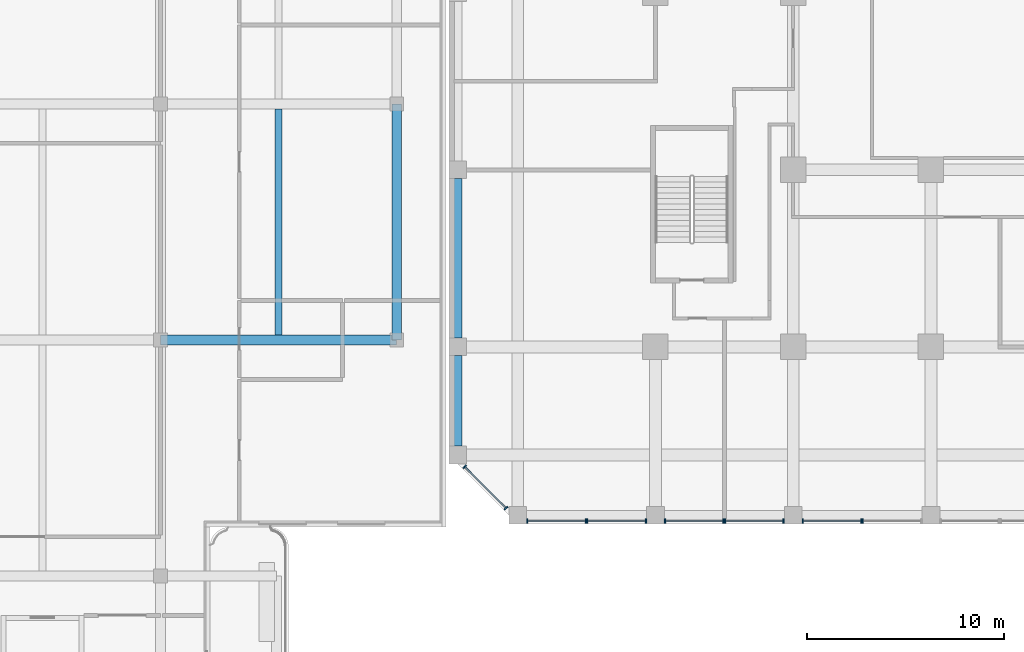
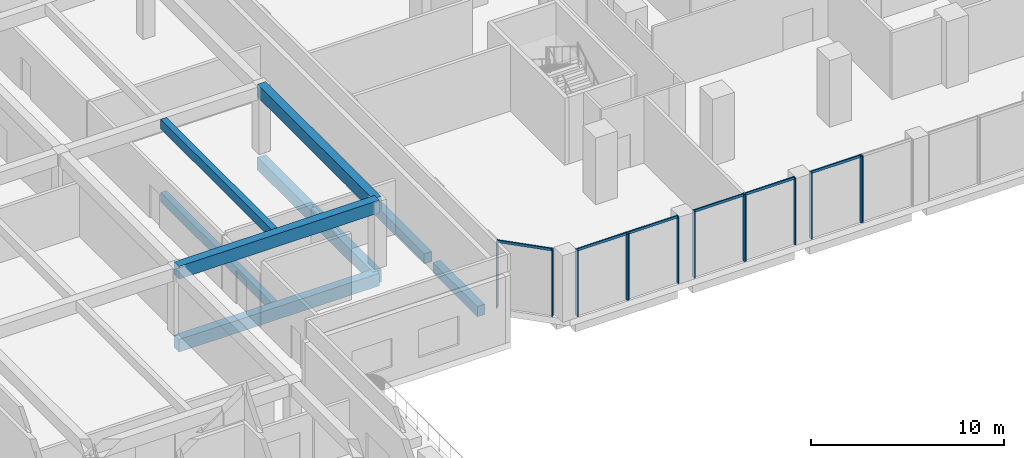
# One storey, part 2 of 35: 19 members, 8 beams, 7 elements without a shape of their own.
"""IFC4 building model written with IfcOpenShell, lengths in metres."""

import ifcopenshell
import ifcopenshell.guid

model = None  # the IFC model being written
_history = None  # IfcOwnerHistory: only IFC2X3 demands one
_inside = {}  # id of a spatial element -> (the spatial element, [elements in it])
_under = {}  # id of a project, library or spatial element -> (it, [spatial elements below it])
_declared = {}  # id of a project -> (the project, [libraries it declares])
_typed = {}  # id of a type object -> (the type object, [elements of that type])
_made_of = {}  # id of a material, layer set ... -> (it, [elements and type objects made of it])


def new_model(schema):
    """Start an empty IFC model of exactly this schema.

    Asked for "IFC4X3", IfcOpenShell would pick the latest addendum, in which some entities
    have other attributes; the version numbers below select the first issue.
    IFC2X3 requires an IfcOwnerHistory on every rooted entity: one is made here for all.
    """
    global model, _history
    if schema == "IFC4X3":
        model = ifcopenshell.file(schema_version=(4, 3, 0, 0))
    else:
        model = ifcopenshell.file(schema=schema)
    _inside.clear()
    _under.clear()
    _declared.clear()
    _typed.clear()
    _made_of.clear()
    _history = None
    if model.schema == "IFC2X3":
        org = make("IfcOrganization", Name="unknown")
        user = make(
            "IfcPersonAndOrganization",
            ThePerson=make("IfcPerson", FamilyName="unknown"),
            TheOrganization=org,
        )
        app = make(
            "IfcApplication",
            ApplicationDeveloper=org,
            Version="unknown",
            ApplicationFullName="unknown",
            ApplicationIdentifier="unknown",
        )
        _history = make(
            "IfcOwnerHistory",
            OwningUser=user,
            OwningApplication=app,
            ChangeAction="ADDED",
            CreationDate=0,
        )
    return model


def make(cls, **values):
    """One entity of the class cls with the attributes given. An attribute that is None is left unset."""
    return model.create_entity(
        cls, **{name: value for name, value in values.items() if value is not None}
    )


def rooted(cls, **values):
    """An entity with a GlobalId (a new one), such as an element, a storey or a relation."""
    return make(cls, GlobalId=ifcopenshell.guid.new(), OwnerHistory=_history, **values)


def si_unit(unit_type, name, prefix=None):
    """IfcSIUnit, for example si_unit("LENGTHUNIT", "METRE", prefix="MILLI")."""
    return make("IfcSIUnit", UnitType=unit_type, Prefix=prefix, Name=name)


def assignment(units):
    """IfcUnitAssignment: the units of a project."""
    return None if units is None else make("IfcUnitAssignment", Units=units)


def point(xyz):
    """IfcCartesianPoint."""
    return None if xyz is None else make("IfcCartesianPoint", Coordinates=xyz)


def direction(xyz):
    """IfcDirection."""
    return None if xyz is None else make("IfcDirection", DirectionRatios=xyz)


def frame(location, z_axis=None, x_axis=None):
    """IfcAxis2Placement3D, a coordinate frame: its origin and axes. An axis left out is left unset."""
    return make(
        "IfcAxis2Placement3D",
        Location=point(location),
        Axis=direction(z_axis),
        RefDirection=direction(x_axis),
    )


def frame_2d(location, x_axis=None):
    """IfcAxis2Placement2D, a coordinate frame in the plane: its origin and x axis."""
    return make(
        "IfcAxis2Placement2D", Location=point(location), RefDirection=direction(x_axis)
    )


def origin():
    """The frame at (0, 0, 0) with its axes left unset."""
    return frame((0.0, 0.0, 0.0))


def origin_2d():
    """The frame at (0, 0) in the plane with its x axis left unset."""
    return frame_2d((0.0, 0.0))


def place(relative_to, where):
    """IfcLocalPlacement: puts the frame where relative to a parent placement (None: the world)."""
    return make(
        "IfcLocalPlacement", PlacementRelTo=relative_to, RelativePlacement=where
    )


def context(
    kind, dimensions, precision=None, world=None, true_north=None, identifier=None
):
    """IfcGeometricRepresentationContext, for example the 3D "Model" context."""
    return make(
        "IfcGeometricRepresentationContext",
        ContextIdentifier=identifier,
        ContextType=kind,
        CoordinateSpaceDimension=dimensions,
        Precision=precision,
        WorldCoordinateSystem=world,
        TrueNorth=true_north,
    )


def subcontext(parent, identifier, kind, view, scale=None):
    """IfcGeometricRepresentationSubContext, for example "Body" below "Model"."""
    return make(
        "IfcGeometricRepresentationSubContext",
        ContextIdentifier=identifier,
        ContextType=kind,
        ParentContext=parent,
        TargetScale=scale,
        TargetView=view,
    )


def project(units=None, contexts=None):
    """IfcProject with its units and contexts."""
    return rooted(
        "IfcProject",
        Name="project",
        RepresentationContexts=contexts,
        UnitsInContext=assignment(units),
    )


def spatial(cls, under=None, at=None, **own):
    """A site, building, storey or space (cls), placed at a placement, below another one or the project."""
    s = rooted(cls, ObjectPlacement=at, **own)
    if under is not None:
        _under.setdefault(under.id(), (under, []))[1].append(s)
    return s


def profile(cls, at=None, kind="AREA", **sizes):
    """A parametric profile (cls). Its sizes go by their IFC names, for example OverallWidth=200.0."""
    return make(cls, ProfileType=kind, Position=at, **sizes)


def rectangle(**sizes):
    """IfcRectangleProfileDef."""
    return profile("IfcRectangleProfileDef", **sizes)


def extrude(swept, where, along, depth):
    """IfcExtrudedAreaSolid: the profile swept, set in the frame where, extruded along a direction by depth."""
    return make(
        "IfcExtrudedAreaSolid",
        SweptArea=swept,
        Position=where,
        ExtrudedDirection=direction(along),
        Depth=depth,
    )


def shape(context_of_items, identifier, shape_type, items):
    """IfcShapeRepresentation: the items that make up one representation, for example the "Body"."""
    return make(
        "IfcShapeRepresentation",
        ContextOfItems=context_of_items,
        RepresentationIdentifier=identifier,
        RepresentationType=shape_type,
        Items=items,
    )


def source(mapping_origin, context_of_items, identifier, shape_type, items):
    """IfcRepresentationMap: a shape defined once, which mapped items show again and again."""
    return make(
        "IfcRepresentationMap",
        MappingOrigin=mapping_origin,
        MappedRepresentation=shape(context_of_items, identifier, shape_type, items),
    )


def transform(
    local_origin,
    x_axis=None,
    y_axis=None,
    z_axis=None,
    scale=None,
    scale2=None,
    scale3=None,
    uniform=True,
):
    """IfcCartesianTransformationOperator3D, or its non-uniform kind. x_axis, y_axis, z_axis: its Axis1, 2, 3."""
    if uniform:
        return make(
            "IfcCartesianTransformationOperator3D",
            Axis1=direction(x_axis),
            Axis2=direction(y_axis),
            LocalOrigin=point(local_origin),
            Scale=scale,
            Axis3=direction(z_axis),
        )
    return make(
        "IfcCartesianTransformationOperator3DnonUniform",
        Axis1=direction(x_axis),
        Axis2=direction(y_axis),
        LocalOrigin=point(local_origin),
        Scale=scale,
        Axis3=direction(z_axis),
        Scale2=scale2,
        Scale3=scale3,
    )


def mapped(mapping_source, mapping_target):
    """IfcMappedItem: shows the shape of a source again, moved by a transform."""
    return make(
        "IfcMappedItem", MappingSource=mapping_source, MappingTarget=mapping_target
    )


def material(Name=None, Category=None):
    """IfcMaterial."""
    return make("IfcMaterial", Name=Name, Category=Category)


def material_profile(
    of_material, cross_section, Name=None, Category=None, Priority=None
):
    """IfcMaterialProfile: a cross section and its material."""
    return make(
        "IfcMaterialProfile",
        Name=Name,
        Material=of_material,
        Profile=cross_section,
        Priority=Priority,
        Category=Category,
    )


def profile_set(profiles, Name=None, composite=None):
    """IfcMaterialProfileSet."""
    return make(
        "IfcMaterialProfileSet",
        Name=Name,
        MaterialProfiles=profiles,
        CompositeProfile=composite,
    )


def made_of(thing, what):
    """Note that an element or type object is made of a material, layer set ...; save() writes the relation."""
    if what is not None:
        _made_of.setdefault(what.id(), (what, []))[1].append(thing)
    return thing


def type_object(cls, material=None, **own):
    """A type object (cls), such as IfcWallType, which elements share."""
    return made_of(rooted(cls, **own), material)


def element(
    cls,
    number,
    at=None,
    inside=None,
    cuts=None,
    type_object=None,
    material=None,
    context=None,
    identifier="Body",
    shape_type=None,
    held_by="IfcProductDefinitionShape",
    body=None,
    shapes=None,
    **own,
):
    """One element of the class cls, such as IfcWall. Its Tag is "e" and its number.

    at: its placement. inside: the storey or other place that contains it. cuts: it is an
    opening in that element (IfcRelVoidsElement). A single representation is given by context,
    identifier, shape_type and body (its items); several are given by shapes. held_by: the class
    of the entity that holds the representations. save() writes the other relations.
    """
    e = rooted(cls, Tag="e%d" % number, ObjectPlacement=at, **own)
    if body is not None:
        shapes = [shape(context, identifier, shape_type, body)]
    if shapes is not None:
        e.Representation = make(held_by, Representations=shapes)
    if inside is not None:
        _inside.setdefault(inside.id(), (inside, []))[1].append(e)
    if cuts is not None:
        rooted(
            "IfcRelVoidsElement", RelatingBuildingElement=cuts, RelatedOpeningElement=e
        )
    if type_object is not None:
        _typed.setdefault(type_object.id(), (type_object, []))[1].append(e)
    return made_of(e, material)


def aggregate(whole, parts):
    """IfcRelAggregates: a whole, such as a stair, and the parts it consists of."""
    return rooted("IfcRelAggregates", RelatingObject=whole, RelatedObjects=parts)


def save(model, path):
    """Write the relations noted so far, then the file.

    IfcRelAggregates (storeys below a building ...), IfcRelContainedInSpatialStructure (elements
    in a storey), IfcRelDefinesByType, IfcRelAssociatesMaterial and IfcRelDeclares: one each for
    every whole, place, type object, material and project.
    """
    for whole, parts in _under.values():
        aggregate(whole, parts)
    for where, things in _inside.values():
        rooted(
            "IfcRelContainedInSpatialStructure",
            RelatedElements=things,
            RelatingStructure=where,
        )
    for kind, things in _typed.values():
        rooted("IfcRelDefinesByType", RelatedObjects=things, RelatingType=kind)
    for what, things in _made_of.values():
        rooted("IfcRelAssociatesMaterial", RelatedObjects=things, RelatingMaterial=what)
    for by, libraries in _declared.values():
        rooted("IfcRelDeclares", RelatingContext=by, RelatedDefinitions=libraries)
    model.write(path)


model = new_model("IFC4")

# Units and contexts
model_context = context("Model", 3, precision=1e-05, world=origin(), true_north=direction((0.0, 1.0)))
body_context = subcontext(model_context, "Body", "Model", "MODEL_VIEW")
ifc_project = project(units=[si_unit("LENGTHUNIT", "METRE"), si_unit("AREAUNIT", "SQUARE_METRE"), si_unit("VOLUMEUNIT", "CUBIC_METRE"), si_unit("PLANEANGLEUNIT", "RADIAN"), si_unit("MASSUNIT", "GRAM", prefix="KILO")], contexts=[model_context])

# Site, building, storey
site_placement = place(None, origin())
site = spatial("IfcSite", under=ifc_project, at=site_placement, CompositionType="ELEMENT")
building_placement = place(site_placement, origin())
building = spatial("IfcBuilding", under=site, at=building_placement, Name="Kilnfold Tower and Market Hall", CompositionType="ELEMENT")
storey_placement = place(building_placement, frame((0.0, 0.0, 22.5)))
storey = spatial("IfcBuildingStorey", under=building, at=storey_placement, Name="L04", CompositionType="ELEMENT", Elevation=22.5)

# Beams
ifc_material_1 = material(Name="Concrete C40/50", Category="concrete")
ifc_material_profile_1 = material_profile(ifc_material_1, rectangle(XDim=0.5, YDim=0.800048828125, at=origin_2d()), Name="RC 500x800")
ifc_profile_set_1 = profile_set([ifc_material_profile_1], Name="Concrete C40/50")
beam_type_1 = type_object("IfcBeamType", Name="HALL GIRDER 500X800", PredefinedType="BEAM", material=ifc_profile_set_1)
for number, where, z_axis, x_axis, name in (
    (1, (-42.64990234375, -18.64990234375, -0.800048828125), (1.0, 0.0, 0.0), (0.0, 1.0, 0.0), "Beam MG2.23"),
    (2, (-30.64990234375, -18.64990234375, -0.800048828125), (0.0, 1.0, 0.0), (-1.0, 0.0, 0.0), "Beam MG2.36"),
    (3, (-42.64990234375, -18.64990234375, 3.820068359375), (1.0, 0.0, 0.0), (0.0, 1.0, 0.0), "Roof beam MG2.R21"),
    (4, (-30.64990234375, -18.64990234375, 3.820068359375), (0.0, 1.0, 0.0), (-1.0, 0.0, 0.0), "Roof beam MG2.R33"),
):
    element("IfcBeam", number, at=place(storey_placement, frame(where, z_axis=z_axis, x_axis=x_axis)), inside=storey, type_object=beam_type_1, Name=name, PredefinedType="BEAM", context=body_context, shape_type="SweptSolid", body=[
        extrude(rectangle(XDim=0.5, YDim=0.800048828125, at=origin_2d()), origin(), (0.0, 0.0, 1.0), 12.0),
    ])
ifc_material_2 = material(Name="Concrete C40/50", Category="concrete")
ifc_material_profile_2 = material_profile(ifc_material_2, rectangle(XDim=0.35009765625, YDim=0.60009765625, at=origin_2d()), Name="RC 350x600")
ifc_profile_set_2 = profile_set([ifc_material_profile_2], Name="Concrete C40/50")
beam_type_2 = type_object("IfcBeamType", Name="HALL JOIST 350X600", PredefinedType="BEAM", material=ifc_profile_set_2)
for number, where, z_axis, x_axis, name in (
    (5, (-36.64990234375, -18.39990234375, -0.699951171875), (0.0, 1.0, 0.0), (-1.0, 0.0, 0.0), "Beam MJ1.3"),
    (6, (-36.64990234375, -18.39990234375, 3.919921875), (0.0, 1.0, 0.0), (-1.0, 0.0, 0.0), "Roof beam MJ1.R3"),
):
    element("IfcBeam", number, at=place(storey_placement, frame(where, z_axis=z_axis, x_axis=x_axis)), inside=storey, type_object=beam_type_2, Name=name, PredefinedType="BEAM", context=body_context, shape_type="SweptSolid", body=[
        extrude(rectangle(XDim=0.35009765625, YDim=0.60009765625, at=origin_2d()), origin(), (0.0, 0.0, 1.0), 11.5),
    ])
ifc_material_3 = material(Name="Concrete C45", Category="concrete")
ifc_material_profile_3 = material_profile(ifc_material_3, rectangle(XDim=0.449951171875, YDim=0.64990234375, at=origin_2d()), Name="RC 450x650")
ifc_profile_set_3 = profile_set([ifc_material_profile_3], Name="Concrete C45")
beam_type_3 = type_object("IfcBeamType", Name="EDGE BEAM 450X650 C45", PredefinedType="BEAM", material=ifc_profile_set_3)
shared_shape_1 = source(origin(), body_context, "Body", "SweptSolid", [
    extrude(rectangle(XDim=0.449951171875, YDim=0.64990234375, at=origin_2d()), origin(), (0.0, 0.0, 1.0), 4.60009765625),
])
beam_1_placement = place(storey_placement, frame((-27.550048828125, -24.050048828125, -0.72509765625), z_axis=(0.0, 1.0, 0.0), x_axis=(-1.0, 0.0, 0.0)))
element("IfcBeam", 7, at=beam_1_placement, inside=storey, type_object=beam_type_3, Name="Beam EB650-B1.30", PredefinedType="BEAM", context=body_context, shape_type="MappedRepresentation", body=[
    mapped(shared_shape_1, transform((0.0, 0.0, 0.0))),
])
shared_shape_2 = source(origin(), body_context, "Body", "SweptSolid", [
    extrude(rectangle(XDim=0.449951171875, YDim=0.64990234375, at=origin_2d()), origin(), (0.0, 0.0, 1.0), 8.10009765625),
])
beam_2_placement = place(storey_placement, frame((-27.550048828125, -18.550048828125, -0.72509765625), z_axis=(0.0, 1.0, 0.0), x_axis=(-1.0, 0.0, 0.0)))
element("IfcBeam", 8, at=beam_2_placement, inside=storey, type_object=beam_type_3, Name="Beam EB650-B1.31", PredefinedType="BEAM", context=body_context, shape_type="MappedRepresentation", body=[
    mapped(shared_shape_2, transform((0.0, 0.0, 0.0))),
])

# Curtain wall, member
ifc_material_4 = material(Name="Aluminium and double glazing", Category="aluminium")
curtain_wall_type = type_object("IfcCurtainWallType", Name="CW BASE PODIUM GLAZING", PredefinedType="NOTDEFINED", material=ifc_material_4)
curtain_wall_1_placement = place(storey_placement, origin())
curtain_wall_1 = element("IfcCurtainWall", 9, at=curtain_wall_1_placement, inside=storey, type_object=curtain_wall_type, Name="Curtain wall CW4 L04 S", PredefinedType="NOTDEFINED")
ifc_material_5 = material(Name="Aluminium", Category="aluminium")
ifc_material_profile_4 = material_profile(ifc_material_5, rectangle(XDim=0.070068359375, YDim=0.159912109375, at=origin_2d()), Name="TRANSOM 70x160")
ifc_profile_set_4 = profile_set([ifc_material_profile_4], Name="Aluminium")
member_type_1 = type_object("IfcMemberType", Name="TRANSOM 70X160", PredefinedType="USERDEFINED", material=ifc_profile_set_4)
shared_shape_3 = source(origin(), body_context, "Body", "SweptSolid", [
    extrude(rectangle(XDim=0.070068359375, YDim=0.159912109375, at=origin_2d()), origin(), (0.0, 0.0, 1.0), 2.909912109375),
])
member_1_placement = place(storey_placement, frame((-23.97998046875, -27.85009765625, 4.18505859375), z_axis=(1.0, 0.0, 0.0), x_axis=(0.0, 1.0, 0.0)))
member_1 = element("IfcMember", 10, at=member_1_placement, type_object=member_type_1, Name="CW4 transom 1.2", ObjectType="TRANSOM", PredefinedType="USERDEFINED", context=body_context, shape_type="MappedRepresentation", body=[
    mapped(shared_shape_3, transform((0.0, 0.0, 0.0))),
])

curtain_wall_2_placement = place(storey_placement, origin())
curtain_wall_2 = element("IfcCurtainWall", 11, at=curtain_wall_2_placement, inside=storey, type_object=curtain_wall_type, Name="Curtain wall CW4 L04 S", PredefinedType="NOTDEFINED")
member_2_placement = place(storey_placement, frame((-20.929931640625, -27.85009765625, 4.18505859375), z_axis=(1.0, 0.0, 0.0), x_axis=(0.0, 1.0, 0.0)))
member_2 = element("IfcMember", 12, at=member_2_placement, type_object=member_type_1, Name="CW4 transom 1.2", ObjectType="TRANSOM", PredefinedType="USERDEFINED", context=body_context, shape_type="MappedRepresentation", body=[
    mapped(shared_shape_3, transform((0.0, 0.0, 0.0))),
])

curtain_wall_3_placement = place(storey_placement, origin())
curtain_wall_3 = element("IfcCurtainWall", 13, at=curtain_wall_3_placement, inside=storey, type_object=curtain_wall_type, Name="Curtain wall CW4 L04 S", PredefinedType="NOTDEFINED")
member_3_placement = place(storey_placement, frame((-16.97998046875, -27.85009765625, 4.18505859375), z_axis=(1.0, 0.0, 0.0), x_axis=(0.0, 1.0, 0.0)))
member_3 = element("IfcMember", 14, at=member_3_placement, type_object=member_type_1, Name="CW4 transom 1.2", ObjectType="TRANSOM", PredefinedType="USERDEFINED", context=body_context, shape_type="MappedRepresentation", body=[
    mapped(shared_shape_3, transform((0.0, 0.0, 0.0))),
])

curtain_wall_4_placement = place(storey_placement, origin())
curtain_wall_4 = element("IfcCurtainWall", 15, at=curtain_wall_4_placement, inside=storey, type_object=curtain_wall_type, Name="Curtain wall CW4 L04 S", PredefinedType="NOTDEFINED")
member_4_placement = place(storey_placement, frame((-13.929931640625, -27.85009765625, 4.18505859375), z_axis=(1.0, 0.0, 0.0), x_axis=(0.0, 1.0, 0.0)))
member_4 = element("IfcMember", 16, at=member_4_placement, type_object=member_type_1, Name="CW4 transom 1.2", ObjectType="TRANSOM", PredefinedType="USERDEFINED", context=body_context, shape_type="MappedRepresentation", body=[
    mapped(shared_shape_3, transform((0.0, 0.0, 0.0))),
])

curtain_wall_5_placement = place(storey_placement, origin())
curtain_wall_5 = element("IfcCurtainWall", 17, at=curtain_wall_5_placement, inside=storey, type_object=curtain_wall_type, Name="Curtain wall CW4 L04 S", PredefinedType="NOTDEFINED")
member_5_placement = place(storey_placement, frame((-9.97998046875, -27.85009765625, 4.18505859375), z_axis=(1.0, 0.0, 0.0), x_axis=(0.0, 1.0, 0.0)))
member_5 = element("IfcMember", 18, at=member_5_placement, type_object=member_type_1, Name="CW4 transom 1.2", ObjectType="TRANSOM", PredefinedType="USERDEFINED", context=body_context, shape_type="MappedRepresentation", body=[
    mapped(shared_shape_3, transform((0.0, 0.0, 0.0))),
])

curtain_wall_6_placement = place(storey_placement, origin())
curtain_wall_6 = element("IfcCurtainWall", 19, at=curtain_wall_6_placement, inside=storey, type_object=curtain_wall_type, Name="Curtain wall CW4 L04 SW", PredefinedType="NOTDEFINED")
shared_shape_4 = source(origin(), body_context, "Body", "SweptSolid", [
    extrude(rectangle(XDim=0.070068359375, YDim=0.159912109375, at=origin_2d()), origin(), (0.0, 0.0, 1.0), 2.900634765625),
])
member_6_placement = place(storey_placement, frame((-27.16943359375, -25.118408203125, 4.18505859375), z_axis=(0.707106781187, -0.707106781187, 0.0), x_axis=(0.707106781187, 0.707106781187, 0.0)))
member_6 = element("IfcMember", 20, at=member_6_placement, type_object=member_type_1, Name="CW4 transom 1.2", ObjectType="TRANSOM", PredefinedType="USERDEFINED", context=body_context, shape_type="MappedRepresentation", body=[
    mapped(shared_shape_4, transform((0.0, 0.0, 0.0))),
])

# Member
ifc_material_6 = material(Name="Aluminium", Category="aluminium")
ifc_material_profile_5 = material_profile(ifc_material_6, rectangle(XDim=0.070068359375, YDim=0.219970703125, at=origin_2d()), Name="MULLION 70x220")
ifc_profile_set_5 = profile_set([ifc_material_profile_5], Name="Aluminium")
member_type_2 = type_object("IfcMemberType", Name="MULLION 70X220", PredefinedType="MULLION", material=ifc_profile_set_5)
shared_shape_5 = source(origin(), body_context, "Body", "SweptSolid", [
    extrude(rectangle(XDim=0.070068359375, YDim=0.219970703125, at=origin_2d()), origin(), (0.0, 0.0, 1.0), 4.219970703125),
])
member_7_placement = place(storey_placement, frame((-24.014892578125, -27.85009765625, 0.0), z_axis=(0.0, 0.0, 1.0), x_axis=(1.0, 0.0, 0.0)))
member_7 = element("IfcMember", 21, at=member_7_placement, type_object=member_type_2, Name="CW4 mullion 1", PredefinedType="MULLION", context=body_context, shape_type="MappedRepresentation", body=[
    mapped(shared_shape_5, transform((0.0, 0.0, 0.0))),
])

member_8_placement = place(storey_placement, frame((-21.034912109375, -27.85009765625, 0.0), z_axis=(0.0, 0.0, 1.0), x_axis=(1.0, 0.0, 0.0)))
member_8 = element("IfcMember", 22, at=member_8_placement, type_object=member_type_2, Name="CW4 mullion 2", PredefinedType="MULLION", context=body_context, shape_type="MappedRepresentation", body=[
    mapped(shared_shape_5, transform((0.0, 0.0, 0.0))),
])

aggregate(curtain_wall_1, [member_7, member_8, member_1])

member_9_placement = place(storey_placement, frame((-20.965087890625, -27.85009765625, 0.0), z_axis=(0.0, 0.0, 1.0), x_axis=(1.0, 0.0, 0.0)))
member_9 = element("IfcMember", 23, at=member_9_placement, type_object=member_type_2, Name="CW4 mullion 1", PredefinedType="MULLION", context=body_context, shape_type="MappedRepresentation", body=[
    mapped(shared_shape_5, transform((0.0, 0.0, 0.0))),
])

member_10_placement = place(storey_placement, frame((-17.985107421875, -27.85009765625, 0.0), z_axis=(0.0, 0.0, 1.0), x_axis=(1.0, 0.0, 0.0)))
member_10 = element("IfcMember", 24, at=member_10_placement, type_object=member_type_2, Name="CW4 mullion 2", PredefinedType="MULLION", context=body_context, shape_type="MappedRepresentation", body=[
    mapped(shared_shape_5, transform((0.0, 0.0, 0.0))),
])

aggregate(curtain_wall_2, [member_9, member_10, member_2])

member_11_placement = place(storey_placement, frame((-17.014892578125, -27.85009765625, 0.0), z_axis=(0.0, 0.0, 1.0), x_axis=(1.0, 0.0, 0.0)))
member_11 = element("IfcMember", 25, at=member_11_placement, type_object=member_type_2, Name="CW4 mullion 1", PredefinedType="MULLION", context=body_context, shape_type="MappedRepresentation", body=[
    mapped(shared_shape_5, transform((0.0, 0.0, 0.0))),
])

member_12_placement = place(storey_placement, frame((-14.034912109375, -27.85009765625, 0.0), z_axis=(0.0, 0.0, 1.0), x_axis=(1.0, 0.0, 0.0)))
member_12 = element("IfcMember", 26, at=member_12_placement, type_object=member_type_2, Name="CW4 mullion 2", PredefinedType="MULLION", context=body_context, shape_type="MappedRepresentation", body=[
    mapped(shared_shape_5, transform((0.0, 0.0, 0.0))),
])

aggregate(curtain_wall_3, [member_11, member_12, member_3])

member_13_placement = place(storey_placement, frame((-13.965087890625, -27.85009765625, 0.0), z_axis=(0.0, 0.0, 1.0), x_axis=(1.0, 0.0, 0.0)))
member_13 = element("IfcMember", 27, at=member_13_placement, type_object=member_type_2, Name="CW4 mullion 1", PredefinedType="MULLION", context=body_context, shape_type="MappedRepresentation", body=[
    mapped(shared_shape_5, transform((0.0, 0.0, 0.0))),
])

member_14_placement = place(storey_placement, frame((-10.985107421875, -27.85009765625, 0.0), z_axis=(0.0, 0.0, 1.0), x_axis=(1.0, 0.0, 0.0)))
member_14 = element("IfcMember", 28, at=member_14_placement, type_object=member_type_2, Name="CW4 mullion 2", PredefinedType="MULLION", context=body_context, shape_type="MappedRepresentation", body=[
    mapped(shared_shape_5, transform((0.0, 0.0, 0.0))),
])

aggregate(curtain_wall_4, [member_13, member_14, member_4])

member_15_placement = place(storey_placement, frame((-10.014892578125, -27.85009765625, 0.0), z_axis=(0.0, 0.0, 1.0), x_axis=(1.0, 0.0, 0.0)))
member_15 = element("IfcMember", 29, at=member_15_placement, type_object=member_type_2, Name="CW4 mullion 1", PredefinedType="MULLION", context=body_context, shape_type="MappedRepresentation", body=[
    mapped(shared_shape_5, transform((0.0, 0.0, 0.0))),
])

member_16_placement = place(storey_placement, frame((-7.034912109375, -27.85009765625, 0.0), z_axis=(0.0, 0.0, 1.0), x_axis=(1.0, 0.0, 0.0)))
member_16 = element("IfcMember", 30, at=member_16_placement, type_object=member_type_2, Name="CW4 mullion 2", PredefinedType="MULLION", context=body_context, shape_type="MappedRepresentation", body=[
    mapped(shared_shape_5, transform((0.0, 0.0, 0.0))),
])

aggregate(curtain_wall_5, [member_15, member_16, member_5])

# Curtain wall, member
curtain_wall_7_placement = place(storey_placement, origin())
curtain_wall_7 = element("IfcCurtainWall", 31, at=curtain_wall_7_placement, inside=storey, type_object=curtain_wall_type, Name="Curtain wall CW4 L04 S", PredefinedType="NOTDEFINED")
member_17_placement = place(storey_placement, frame((-6.965087890625, -27.85009765625, 0.0), z_axis=(0.0, 0.0, 1.0), x_axis=(1.0, 0.0, 0.0)))
member_17 = element("IfcMember", 32, at=member_17_placement, type_object=member_type_2, Name="CW4 mullion 1", PredefinedType="MULLION", context=body_context, shape_type="MappedRepresentation", body=[
    mapped(shared_shape_5, transform((0.0, 0.0, 0.0))),
])
aggregate(curtain_wall_7, [member_17])

# Member
member_18_placement = place(storey_placement, frame((-27.194091796875, -25.09375, 0.0), z_axis=(0.0, 0.0, 1.0), x_axis=(0.707090337034, -0.707123224957, 0.0)))
member_18 = element("IfcMember", 33, at=member_18_placement, type_object=member_type_2, Name="CW4 mullion 1", PredefinedType="MULLION", context=body_context, shape_type="MappedRepresentation", body=[
    mapped(shared_shape_5, transform((0.0, 0.0, 0.0))),
])

member_19_placement = place(storey_placement, frame((-25.09375, -27.1943359375, 0.0), z_axis=(0.0, 0.0, 1.0), x_axis=(0.707090337034, -0.707123224957, 0.0)))
member_19 = element("IfcMember", 34, at=member_19_placement, type_object=member_type_2, Name="CW4 mullion 2", PredefinedType="MULLION", context=body_context, shape_type="MappedRepresentation", body=[
    mapped(shared_shape_5, transform((0.0, 0.0, 0.0))),
])

aggregate(curtain_wall_6, [member_18, member_19, member_6])

save(model, "model.ifc")
